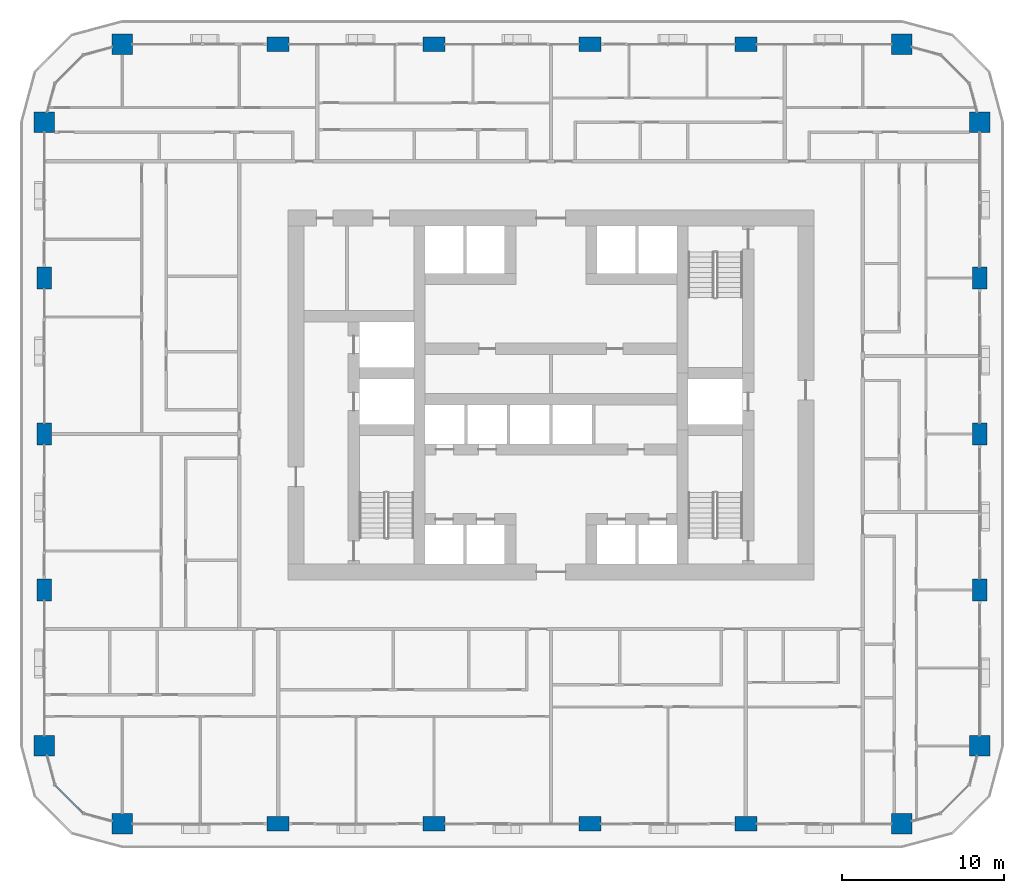
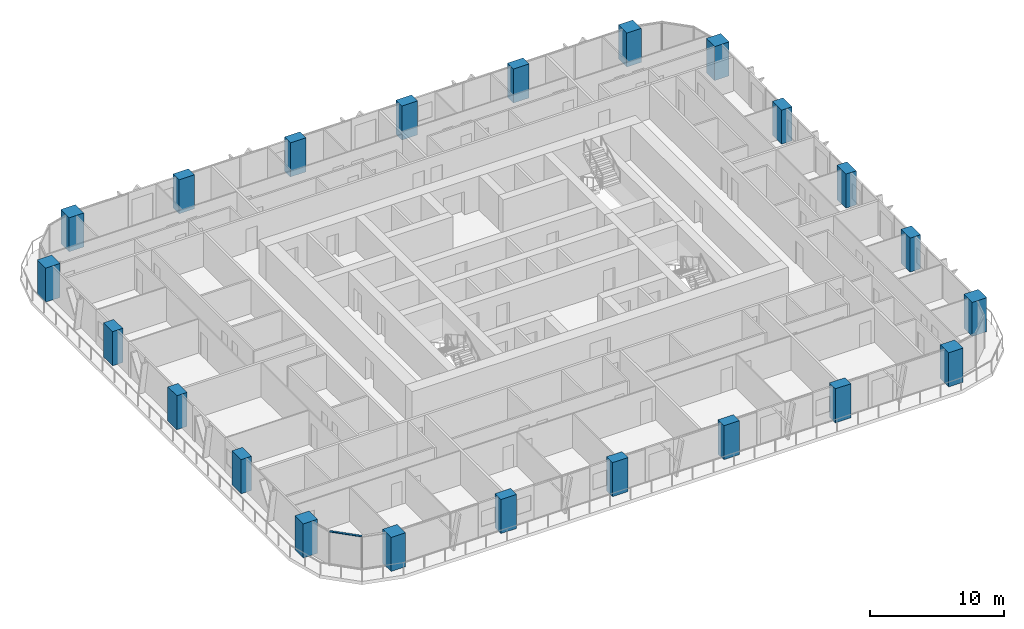
# One storey, part 1 of 21: 22 columns, 1 member, 1 element without a shape of its own.
"""IFC4 building model written with IfcOpenShell, lengths in metres."""

from ifc_helpers import new_model, si_unit, direction, frame, origin, origin_2d, place, context, subcontext, project, spatial, rectangle, extrude, material, layer, layer_set, material_profile, profile_set, type_object, element, aggregate, save


model = new_model("IFC4")

# Units and contexts
model_context = context("Model", 3, precision=1e-05, world=origin(), true_north=direction((0.0, 1.0)))
body_context = subcontext(model_context, "Body", "Model", "MODEL_VIEW")
ifc_project = project(units=[si_unit("LENGTHUNIT", "METRE"), si_unit("AREAUNIT", "SQUARE_METRE"), si_unit("VOLUMEUNIT", "CUBIC_METRE"), si_unit("PLANEANGLEUNIT", "RADIAN"), si_unit("MASSUNIT", "GRAM", prefix="KILO")], contexts=[model_context])

# Site, building, storey
site_placement = place(None, origin())
site = spatial("IfcSite", under=ifc_project, at=site_placement, CompositionType="ELEMENT")
building_placement = place(site_placement, origin())
building = spatial("IfcBuilding", under=site, at=building_placement, Name="Madar Terraces", CompositionType="ELEMENT")
storey_placement = place(building_placement, frame((0.0, 0.0, 50.39990234375)))
storey = spatial("IfcBuildingStorey", under=building, at=storey_placement, Name="L12", CompositionType="ELEMENT", Elevation=50.39990234375)

# Columns
ifc_material_1 = material(Name="Concrete C80/95", Category="concrete")
ifc_material_profile_1 = material_profile(ifc_material_1, rectangle(XDim=1.35009765625, YDim=0.89990234375, at=origin_2d()), Name="CC1 RC 1350x900")
ifc_profile_set_1 = profile_set([ifc_material_profile_1], Name="Concrete C80/95")
column_type_1 = type_object("IfcColumnType", Name="CC1 RC 1350x900", PredefinedType="COLUMN", material=ifc_profile_set_1)
for number, where, z_axis, x_axis, name in (
    (1, (14.39990234375, 0.0, 0.0), (0.0, 0.0, 1.0), (1.0, 0.0, 0.0), "Perimeter column S2"),
    (2, (24.0, 0.0, 0.0), (0.0, 0.0, 1.0), (1.0, 0.0, 0.0), "Perimeter column S3"),
    (3, (33.60009765625, 0.0, 0.0), (0.0, 0.0, 1.0), (1.0, 0.0, 0.0), "Perimeter column S4"),
    (4, (43.199951171875, 0.0, 0.0), (0.0, 0.0, 1.0), (1.0, 0.0, 0.0), "Perimeter column S5"),
    (5, (57.60009765625, 14.39990234375, 0.0), (0.0, 0.0, 1.0), (0.0, 1.0, 0.0), "Perimeter column E2"),
    (6, (57.60009765625, 24.0, 0.0), (0.0, 0.0, 1.0), (0.0, 1.0, 0.0), "Perimeter column E3"),
    (7, (57.60009765625, 33.60009765625, 0.0), (0.0, 0.0, 1.0), (0.0, 1.0, 0.0), "Perimeter column E4"),
    (8, (43.199951171875, 48.0, 0.0), (0.0, 0.0, 1.0), (1.0, 0.0, 0.0), "Perimeter column N2"),
    (9, (33.60009765625, 48.0, 0.0), (0.0, 0.0, 1.0), (1.0, 0.0, 0.0), "Perimeter column N3"),
    (10, (24.0, 48.0, 0.0), (0.0, 0.0, 1.0), (1.0, 0.0, 0.0), "Perimeter column N4"),
    (11, (14.39990234375, 48.0, 0.0), (0.0, 0.0, 1.0), (1.0, 0.0, 0.0), "Perimeter column N5"),
    (12, (0.0, 33.60009765625, 0.0), (0.0, 0.0, 1.0), (0.0, 1.0, 0.0), "Perimeter column W2"),
    (13, (0.0, 24.0, 0.0), (0.0, 0.0, 1.0), (0.0, 1.0, 0.0), "Perimeter column W3"),
    (14, (0.0, 14.39990234375, 0.0), (0.0, 0.0, 1.0), (0.0, 1.0, 0.0), "Perimeter column W4"),
):
    element("IfcColumn", number, at=place(storey_placement, frame(where, z_axis=z_axis, x_axis=x_axis)), inside=storey, type_object=column_type_1, Name=name, PredefinedType="COLUMN", context=body_context, shape_type="SweptSolid", body=[
        extrude(rectangle(XDim=1.35009765625, YDim=0.89990234375, at=origin_2d()), origin(), (0.0, 0.0, 1.0), 3.10009765625),
    ])
ifc_material_2 = material(Name="Concrete C80/95", Category="concrete")
ifc_material_profile_2 = material_profile(ifc_material_2, rectangle(XDim=1.25, YDim=1.25, at=origin_2d()), Name="KC1 RC 1250x1250")
ifc_profile_set_2 = profile_set([ifc_material_profile_2], Name="Concrete C80/95")
column_type_2 = type_object("IfcColumnType", Name="KC1 RC 1250x1250", PredefinedType="COLUMN", material=ifc_profile_set_2)
for number, where, z_axis, x_axis, name in (
    (15, (4.800048828125, 0.0, 0.0), (0.0, 0.0, 1.0), (1.0, 0.0, 0.0), "Perimeter column S1"),
    (16, (52.800048828125, 0.0, 0.0), (0.0, 0.0, 1.0), (1.0, 0.0, 0.0), "Perimeter column S6"),
    (17, (57.60009765625, 4.800048828125, 0.0), (0.0, 0.0, 1.0), (1.0, 0.0, 0.0), "Perimeter column E1"),
    (18, (57.60009765625, 43.199951171875, 0.0), (0.0, 0.0, 1.0), (1.0, 0.0, 0.0), "Perimeter column E5"),
    (19, (52.800048828125, 48.0, 0.0), (0.0, 0.0, 1.0), (1.0, 0.0, 0.0), "Perimeter column N1"),
    (20, (4.800048828125, 48.0, 0.0), (0.0, 0.0, 1.0), (1.0, 0.0, 0.0), "Perimeter column N6"),
    (21, (0.0, 43.199951171875, 0.0), (0.0, 0.0, 1.0), (1.0, 0.0, 0.0), "Perimeter column W1"),
    (22, (0.0, 4.800048828125, 0.0), (0.0, 0.0, 1.0), (1.0, 0.0, 0.0), "Perimeter column W5"),
):
    element("IfcColumn", number, at=place(storey_placement, frame(where, z_axis=z_axis, x_axis=x_axis)), inside=storey, type_object=column_type_2, Name=name, PredefinedType="COLUMN", context=body_context, shape_type="SweptSolid", body=[
        extrude(rectangle(XDim=1.25, YDim=1.25, at=origin_2d()), origin(), (0.0, 0.0, 1.0), 3.10009765625),
    ])

# Curtain wall, member
ifc_material_3 = material(Name="Glass, ceramic frit dark grey, with black aluminium frame", Category="aluminium")
ifc_layer = layer(ifc_material_3, 0.199951171875)
ifc_layer_set = layer_set([ifc_layer], Name="Facade curtain wall, fritted glass")
curtain_wall_type = type_object("IfcCurtainWallType", Name="Facade curtain wall, fritted glass", PredefinedType="NOTDEFINED", material=ifc_layer_set)
curtain_wall_placement = place(storey_placement, origin())
curtain_wall = element("IfcCurtainWall", 23, at=curtain_wall_placement, inside=storey, type_object=curtain_wall_type, Name="Outer skin curtain wall south-west corner", PredefinedType="NOTDEFINED")
ifc_material_4 = material(Name="Aluminium, black anodised", Category="aluminium")
ifc_material_profile_3 = material_profile(ifc_material_4, rectangle(XDim=0.1201171875, YDim=0.06005859375, at=origin_2d()), Name="Facade transom 60x120")
ifc_profile_set_3 = profile_set([ifc_material_profile_3], Name="Aluminium, black anodised")
member_type = type_object("IfcMemberType", Name="Facade transom 60x120", PredefinedType="USERDEFINED", material=ifc_profile_set_3)
member_placement = place(storey_placement, frame((0.664306640625, 2.37890625, 3.070068359375), z_axis=(0.707106781187, -0.707106781187, 0.0), x_axis=(0.707106781187, 0.707106781187, 0.0)))
member = element("IfcMember", 24, at=member_placement, type_object=member_type, Name="Transom 2", ObjectType="TRANSOM", PredefinedType="USERDEFINED", context=body_context, shape_type="SweptSolid", body=[
    extrude(rectangle(XDim=0.1201171875, YDim=0.06005859375, at=origin_2d()), origin(), (0.0, 0.0, 1.0), 2.4248046875),
])
aggregate(curtain_wall, [member])

save(model, "model.ifc")
